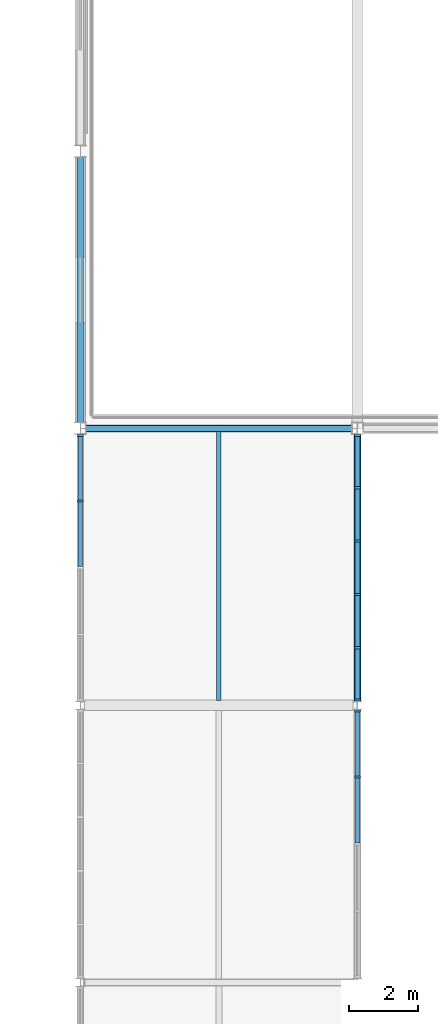
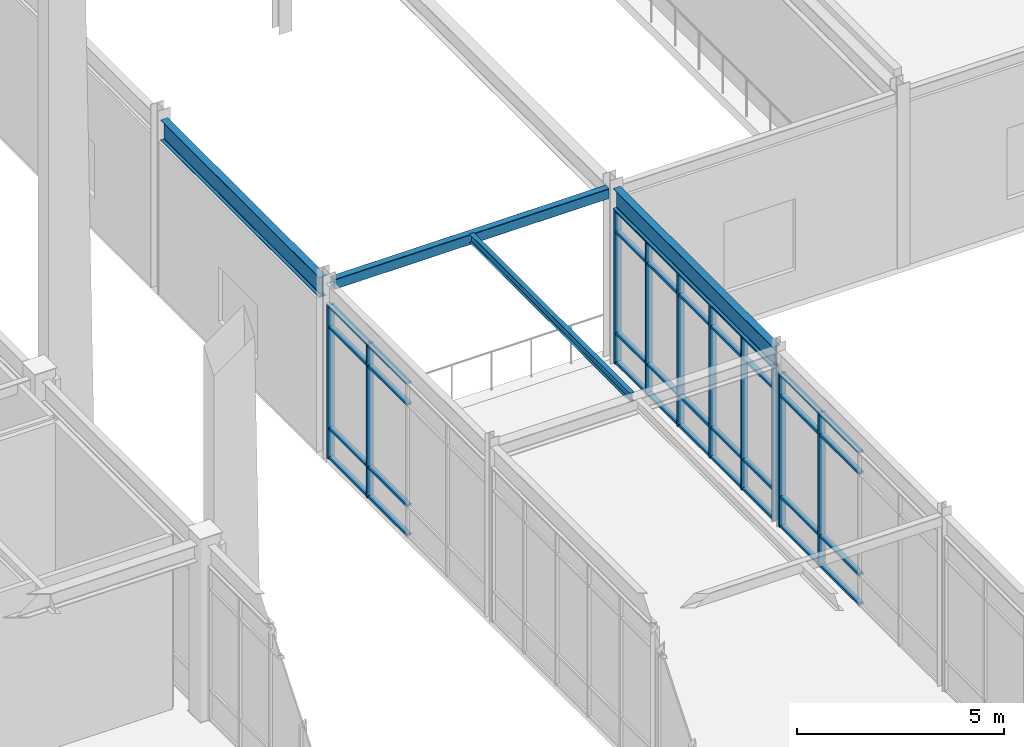
# One storey, part 44 of 184: 46 members, 4 beams, 3 elements without a shape of their own.
"""IFC4 building model written with IfcOpenShell, lengths in metres."""

from ifc_helpers import new_model, si_unit, direction, frame, origin, origin_2d, place, context, subcontext, project, spatial, rectangle, hollow_rectangle, i_section, extrude, material, material_profile, profile_set, type_object, element, aggregate, save


model = new_model("IFC4")

# Units and contexts
model_context = context("Model", 3, precision=1e-05, world=origin(), true_north=direction((0.0, 1.0)))
body_context = subcontext(model_context, "Body", "Model", "MODEL_VIEW")
ifc_project = project(units=[si_unit("LENGTHUNIT", "METRE"), si_unit("AREAUNIT", "SQUARE_METRE"), si_unit("VOLUMEUNIT", "CUBIC_METRE"), si_unit("PLANEANGLEUNIT", "RADIAN"), si_unit("MASSUNIT", "GRAM", prefix="KILO")], contexts=[model_context])

# Site, building, storey
site_placement = place(None, origin())
site = spatial("IfcSite", under=ifc_project, at=site_placement, CompositionType="ELEMENT")
building_placement = place(site_placement, origin())
building = spatial("IfcBuilding", under=site, at=building_placement, Name="Zhaolan Boulevard Law Courts", CompositionType="ELEMENT")
storey_placement = place(building_placement, frame((0.0, 0.0, 5.39990234375)))
storey = spatial("IfcBuildingStorey", under=building, at=storey_placement, Name="L01", CompositionType="ELEMENT", Elevation=5.39990234375)

# Curtain wall, members
ifc_material_1 = material(Name="Thermally broken aluminium and low-E glazing", Category="aluminium")
curtain_wall_type_1 = type_object("IfcCurtainWallType", Name="CURTAIN WALL M21", PredefinedType="USERDEFINED", material=ifc_material_1)
curtain_wall_1_placement = place(storey_placement, origin())
curtain_wall_1 = element("IfcCurtainWall", 1, at=curtain_wall_1_placement, inside=storey, type_object=curtain_wall_type_1, Name="Curtain Wall CW-L01-069", ObjectType="CURTAIN WALL", PredefinedType="USERDEFINED")
ifc_material_2 = material(Name="Fluorocarbon-coated aluminium 6063-T6", Category="aluminium")
ifc_material_profile_1 = material_profile(ifc_material_2, rectangle(XDim=0.179931640625, YDim=0.06494140625, at=origin_2d()), Name="AL65x180")
ifc_profile_set_1 = profile_set([ifc_material_profile_1], Name="Fluorocarbon-coated aluminium 6063-T6")
member_type_1 = type_object("IfcMemberType", Name="CWMULLION 65X180", PredefinedType="MULLION", material=ifc_profile_set_1)
member_1_placement = place(storey_placement, frame((52.0, 61.79052734375, 0.0), z_axis=(0.0, 0.0, 1.0), x_axis=(1.0, 0.0, 0.0)))
member_1 = element("IfcMember", 2, at=member_1_placement, type_object=member_type_1, Name="CW-L01-069 mullion 1", PredefinedType="MULLION", context=body_context, shape_type="SweptSolid", body=[
    extrude(rectangle(XDim=0.179931640625, YDim=0.06494140625, at=origin_2d()), origin(), (0.0, 0.0, 1.0), 4.533203125),
])
member_2_placement = place(storey_placement, frame((52.0, 59.89892578125, 0.0), z_axis=(0.0, 0.0, 1.0), x_axis=(1.0, 0.0, 0.0)))
member_2 = element("IfcMember", 3, at=member_2_placement, type_object=member_type_1, Name="CW-L01-069 mullion 2", PredefinedType="MULLION", context=body_context, shape_type="SweptSolid", body=[
    extrude(rectangle(XDim=0.179931640625, YDim=0.06494140625, at=origin_2d()), origin(), (0.0, 0.0, 1.0), 4.533203125),
])

ifc_material_3 = material(Name="Thermally broken aluminium and low-E glazing", Category="aluminium")
curtain_wall_type_2 = type_object("IfcCurtainWallType", Name="CURTAIN WALL M24", PredefinedType="USERDEFINED", material=ifc_material_3)
curtain_wall_2_placement = place(storey_placement, origin())
curtain_wall_2 = element("IfcCurtainWall", 4, at=curtain_wall_2_placement, inside=storey, type_object=curtain_wall_type_2, Name="Curtain Wall CW-L01-072", ObjectType="CURTAIN WALL", PredefinedType="USERDEFINED")
member_3_placement = place(storey_placement, frame((60.0, 51.9365234375, 0.0), z_axis=(0.0, 0.0, 1.0), x_axis=(-1.0, 0.0, 0.0)))
member_3 = element("IfcMember", 5, at=member_3_placement, type_object=member_type_1, Name="CW-L01-072 mullion 4", PredefinedType="MULLION", context=body_context, shape_type="SweptSolid", body=[
    extrude(rectangle(XDim=0.179931640625, YDim=0.06494140625, at=origin_2d()), origin(), (0.0, 0.0, 1.0), 4.533203125),
])
member_4_placement = place(storey_placement, frame((60.0, 53.840576171875, 0.0), z_axis=(0.0, 0.0, 1.0), x_axis=(-1.0, 0.0, 0.0)))
member_4 = element("IfcMember", 6, at=member_4_placement, type_object=member_type_1, Name="CW-L01-072 mullion 5", PredefinedType="MULLION", context=body_context, shape_type="SweptSolid", body=[
    extrude(rectangle(XDim=0.179931640625, YDim=0.06494140625, at=origin_2d()), origin(), (0.0, 0.0, 1.0), 4.533203125),
])

ifc_material_4 = material(Name="Thermally broken aluminium and low-E glazing", Category="aluminium")
curtain_wall_type_3 = type_object("IfcCurtainWallType", Name="CURTAIN WALL M1", PredefinedType="USERDEFINED", material=ifc_material_4)
curtain_wall_3_placement = place(storey_placement, origin())
curtain_wall_3 = element("IfcCurtainWall", 7, at=curtain_wall_3_placement, inside=storey, type_object=curtain_wall_type_3, Name="Curtain Wall CW-L01-073", ObjectType="CURTAIN WALL", PredefinedType="USERDEFINED")
member_5_placement = place(storey_placement, frame((60.0, 54.159423828125, 0.0), z_axis=(0.0, 0.0, 1.0), x_axis=(-1.0, 0.0, 0.0)))
member_5 = element("IfcMember", 8, at=member_5_placement, type_object=member_type_1, Name="CW-L01-073 mullion 1", PredefinedType="MULLION", context=body_context, shape_type="SweptSolid", body=[
    extrude(rectangle(XDim=0.179931640625, YDim=0.06494140625, at=origin_2d()), origin(), (0.0, 0.0, 1.0), 4.533203125),
])
member_6_placement = place(storey_placement, frame((60.0, 55.666259765625, 0.0), z_axis=(0.0, 0.0, 1.0), x_axis=(-1.0, 0.0, 0.0)))
member_6 = element("IfcMember", 9, at=member_6_placement, type_object=member_type_1, Name="CW-L01-073 mullion 2", PredefinedType="MULLION", context=body_context, shape_type="SweptSolid", body=[
    extrude(rectangle(XDim=0.179931640625, YDim=0.06494140625, at=origin_2d()), origin(), (0.0, 0.0, 1.0), 4.533203125),
])
member_7_placement = place(storey_placement, frame((60.0, 57.205322265625, 0.0), z_axis=(0.0, 0.0, 1.0), x_axis=(-1.0, 0.0, 0.0)))
member_7 = element("IfcMember", 10, at=member_7_placement, type_object=member_type_1, Name="CW-L01-073 mullion 3", PredefinedType="MULLION", context=body_context, shape_type="SweptSolid", body=[
    extrude(rectangle(XDim=0.179931640625, YDim=0.06494140625, at=origin_2d()), origin(), (0.0, 0.0, 1.0), 4.533203125),
])
member_8_placement = place(storey_placement, frame((60.0, 58.74462890625, 0.0), z_axis=(0.0, 0.0, 1.0), x_axis=(-1.0, 0.0, 0.0)))
member_8 = element("IfcMember", 11, at=member_8_placement, type_object=member_type_1, Name="CW-L01-073 mullion 4", PredefinedType="MULLION", context=body_context, shape_type="SweptSolid", body=[
    extrude(rectangle(XDim=0.179931640625, YDim=0.06494140625, at=origin_2d()), origin(), (0.0, 0.0, 1.0), 4.533203125),
])
member_9_placement = place(storey_placement, frame((60.0, 60.28369140625, 0.0), z_axis=(0.0, 0.0, 1.0), x_axis=(-1.0, 0.0, 0.0)))
member_9 = element("IfcMember", 12, at=member_9_placement, type_object=member_type_1, Name="CW-L01-073 mullion 5", PredefinedType="MULLION", context=body_context, shape_type="SweptSolid", body=[
    extrude(rectangle(XDim=0.179931640625, YDim=0.06494140625, at=origin_2d()), origin(), (0.0, 0.0, 1.0), 4.533203125),
])
member_10_placement = place(storey_placement, frame((60.0, 61.79052734375, 0.0), z_axis=(0.0, 0.0, 1.0), x_axis=(-1.0, 0.0, 0.0)))
member_10 = element("IfcMember", 13, at=member_10_placement, type_object=member_type_1, Name="CW-L01-073 mullion 6", PredefinedType="MULLION", context=body_context, shape_type="SweptSolid", body=[
    extrude(rectangle(XDim=0.179931640625, YDim=0.06494140625, at=origin_2d()), origin(), (0.0, 0.0, 1.0), 4.533203125),
])

# Member
ifc_material_5 = material(Name="Fluorocarbon-coated aluminium 6063-T6", Category="aluminium")
ifc_material_profile_2 = material_profile(ifc_material_5, rectangle(XDim=0.139892578125, YDim=0.06494140625, at=origin_2d()), Name="AL65x140")
ifc_profile_set_2 = profile_set([ifc_material_profile_2], Name="Fluorocarbon-coated aluminium 6063-T6")
member_type_2 = type_object("IfcMemberType", Name="CWTRANSOM 65X140", PredefinedType="USERDEFINED", material=ifc_profile_set_2)
member_11_placement = place(storey_placement, frame((52.0, 61.758056640625, 0.03271484375), z_axis=(0.0, -1.0, 0.0), x_axis=(1.0, 0.0, 0.0)))
member_11 = element("IfcMember", 14, at=member_11_placement, type_object=member_type_2, Name="CW-L01-069 transom 1.1", ObjectType="TRANSOM", PredefinedType="USERDEFINED", context=body_context, shape_type="SweptSolid", body=[
    extrude(rectangle(XDim=0.139892578125, YDim=0.06494140625, at=origin_2d()), origin(), (0.0, 0.0, 1.0), 1.82666015625),
])

member_12_placement = place(storey_placement, frame((52.0, 61.758056640625, 0.900146484375), z_axis=(0.0, -1.0, 0.0), x_axis=(1.0, 0.0, 0.0)))
member_12 = element("IfcMember", 15, at=member_12_placement, type_object=member_type_2, Name="CW-L01-069 transom 1.2", ObjectType="TRANSOM", PredefinedType="USERDEFINED", context=body_context, shape_type="SweptSolid", body=[
    extrude(rectangle(XDim=0.139892578125, YDim=0.06494140625, at=origin_2d()), origin(), (0.0, 0.0, 1.0), 1.82666015625),
])

member_13_placement = place(storey_placement, frame((52.0, 61.758056640625, 3.883056640625), z_axis=(0.0, -1.0, 0.0), x_axis=(1.0, 0.0, 0.0)))
member_13 = element("IfcMember", 16, at=member_13_placement, type_object=member_type_2, Name="CW-L01-069 transom 1.3", ObjectType="TRANSOM", PredefinedType="USERDEFINED", context=body_context, shape_type="SweptSolid", body=[
    extrude(rectangle(XDim=0.139892578125, YDim=0.06494140625, at=origin_2d()), origin(), (0.0, 0.0, 1.0), 1.82666015625),
])

member_14_placement = place(storey_placement, frame((52.0, 61.758056640625, 4.50048828125), z_axis=(0.0, -1.0, 0.0), x_axis=(1.0, 0.0, 0.0)))
member_14 = element("IfcMember", 17, at=member_14_placement, type_object=member_type_2, Name="CW-L01-069 transom 1.4", ObjectType="TRANSOM", PredefinedType="USERDEFINED", context=body_context, shape_type="SweptSolid", body=[
    extrude(rectangle(XDim=0.139892578125, YDim=0.06494140625, at=origin_2d()), origin(), (0.0, 0.0, 1.0), 1.82666015625),
])

member_15_placement = place(storey_placement, frame((52.0, 59.866455078125, 0.03271484375), z_axis=(0.0, -1.0, 0.0), x_axis=(1.0, 0.0, 0.0)))
member_15 = element("IfcMember", 18, at=member_15_placement, type_object=member_type_2, Name="CW-L01-069 transom 2.1", ObjectType="TRANSOM", PredefinedType="USERDEFINED", context=body_context, shape_type="SweptSolid", body=[
    extrude(rectangle(XDim=0.139892578125, YDim=0.06494140625, at=origin_2d()), origin(), (0.0, 0.0, 1.0), 1.85888671875),
])

member_16_placement = place(storey_placement, frame((52.0, 59.866455078125, 0.900146484375), z_axis=(0.0, -1.0, 0.0), x_axis=(1.0, 0.0, 0.0)))
member_16 = element("IfcMember", 19, at=member_16_placement, type_object=member_type_2, Name="CW-L01-069 transom 2.2", ObjectType="TRANSOM", PredefinedType="USERDEFINED", context=body_context, shape_type="SweptSolid", body=[
    extrude(rectangle(XDim=0.139892578125, YDim=0.06494140625, at=origin_2d()), origin(), (0.0, 0.0, 1.0), 1.85888671875),
])

member_17_placement = place(storey_placement, frame((52.0, 59.866455078125, 3.883056640625), z_axis=(0.0, -1.0, 0.0), x_axis=(1.0, 0.0, 0.0)))
member_17 = element("IfcMember", 20, at=member_17_placement, type_object=member_type_2, Name="CW-L01-069 transom 2.3", ObjectType="TRANSOM", PredefinedType="USERDEFINED", context=body_context, shape_type="SweptSolid", body=[
    extrude(rectangle(XDim=0.139892578125, YDim=0.06494140625, at=origin_2d()), origin(), (0.0, 0.0, 1.0), 1.85888671875),
])

member_18_placement = place(storey_placement, frame((52.0, 59.866455078125, 4.50048828125), z_axis=(0.0, -1.0, 0.0), x_axis=(1.0, 0.0, 0.0)))
member_18 = element("IfcMember", 21, at=member_18_placement, type_object=member_type_2, Name="CW-L01-069 transom 2.4", ObjectType="TRANSOM", PredefinedType="USERDEFINED", context=body_context, shape_type="SweptSolid", body=[
    extrude(rectangle(XDim=0.139892578125, YDim=0.06494140625, at=origin_2d()), origin(), (0.0, 0.0, 1.0), 1.85888671875),
])

aggregate(curtain_wall_1, [member_1, member_2, member_11, member_12, member_13, member_14, member_15, member_16, member_17, member_18])

member_19_placement = place(storey_placement, frame((60.0, 50.032470703125, 0.03271484375), z_axis=(0.0, 1.0, 0.0), x_axis=(-1.0, 0.0, 0.0)))
member_19 = element("IfcMember", 22, at=member_19_placement, type_object=member_type_2, Name="CW-L01-072 transom 3.1", ObjectType="TRANSOM", PredefinedType="USERDEFINED", context=body_context, shape_type="SweptSolid", body=[
    extrude(rectangle(XDim=0.139892578125, YDim=0.06494140625, at=origin_2d()), origin(), (0.0, 0.0, 1.0), 1.87158203125),
])

member_20_placement = place(storey_placement, frame((60.0, 50.032470703125, 0.900146484375), z_axis=(0.0, 1.0, 0.0), x_axis=(-1.0, 0.0, 0.0)))
member_20 = element("IfcMember", 23, at=member_20_placement, type_object=member_type_2, Name="CW-L01-072 transom 3.2", ObjectType="TRANSOM", PredefinedType="USERDEFINED", context=body_context, shape_type="SweptSolid", body=[
    extrude(rectangle(XDim=0.139892578125, YDim=0.06494140625, at=origin_2d()), origin(), (0.0, 0.0, 1.0), 1.87158203125),
])

member_21_placement = place(storey_placement, frame((60.0, 50.032470703125, 3.883056640625), z_axis=(0.0, 1.0, 0.0), x_axis=(-1.0, 0.0, 0.0)))
member_21 = element("IfcMember", 24, at=member_21_placement, type_object=member_type_2, Name="CW-L01-072 transom 3.3", ObjectType="TRANSOM", PredefinedType="USERDEFINED", context=body_context, shape_type="SweptSolid", body=[
    extrude(rectangle(XDim=0.139892578125, YDim=0.06494140625, at=origin_2d()), origin(), (0.0, 0.0, 1.0), 1.87158203125),
])

member_22_placement = place(storey_placement, frame((60.0, 50.032470703125, 4.50048828125), z_axis=(0.0, 1.0, 0.0), x_axis=(-1.0, 0.0, 0.0)))
member_22 = element("IfcMember", 25, at=member_22_placement, type_object=member_type_2, Name="CW-L01-072 transom 3.4", ObjectType="TRANSOM", PredefinedType="USERDEFINED", context=body_context, shape_type="SweptSolid", body=[
    extrude(rectangle(XDim=0.139892578125, YDim=0.06494140625, at=origin_2d()), origin(), (0.0, 0.0, 1.0), 1.87158203125),
])

member_23_placement = place(storey_placement, frame((60.0, 51.968994140625, 0.03271484375), z_axis=(0.0, 1.0, 0.0), x_axis=(-1.0, 0.0, 0.0)))
member_23 = element("IfcMember", 26, at=member_23_placement, type_object=member_type_2, Name="CW-L01-072 transom 4.1", ObjectType="TRANSOM", PredefinedType="USERDEFINED", context=body_context, shape_type="SweptSolid", body=[
    extrude(rectangle(XDim=0.139892578125, YDim=0.06494140625, at=origin_2d()), origin(), (0.0, 0.0, 1.0), 1.839111328125),
])

member_24_placement = place(storey_placement, frame((60.0, 51.968994140625, 0.900146484375), z_axis=(0.0, 1.0, 0.0), x_axis=(-1.0, 0.0, 0.0)))
member_24 = element("IfcMember", 27, at=member_24_placement, type_object=member_type_2, Name="CW-L01-072 transom 4.2", ObjectType="TRANSOM", PredefinedType="USERDEFINED", context=body_context, shape_type="SweptSolid", body=[
    extrude(rectangle(XDim=0.139892578125, YDim=0.06494140625, at=origin_2d()), origin(), (0.0, 0.0, 1.0), 1.839111328125),
])

member_25_placement = place(storey_placement, frame((60.0, 51.968994140625, 3.883056640625), z_axis=(0.0, 1.0, 0.0), x_axis=(-1.0, 0.0, 0.0)))
member_25 = element("IfcMember", 28, at=member_25_placement, type_object=member_type_2, Name="CW-L01-072 transom 4.3", ObjectType="TRANSOM", PredefinedType="USERDEFINED", context=body_context, shape_type="SweptSolid", body=[
    extrude(rectangle(XDim=0.139892578125, YDim=0.06494140625, at=origin_2d()), origin(), (0.0, 0.0, 1.0), 1.839111328125),
])

member_26_placement = place(storey_placement, frame((60.0, 51.968994140625, 4.50048828125), z_axis=(0.0, 1.0, 0.0), x_axis=(-1.0, 0.0, 0.0)))
member_26 = element("IfcMember", 29, at=member_26_placement, type_object=member_type_2, Name="CW-L01-072 transom 4.4", ObjectType="TRANSOM", PredefinedType="USERDEFINED", context=body_context, shape_type="SweptSolid", body=[
    extrude(rectangle(XDim=0.139892578125, YDim=0.06494140625, at=origin_2d()), origin(), (0.0, 0.0, 1.0), 1.839111328125),
])

aggregate(curtain_wall_2, [member_3, member_4, member_19, member_20, member_21, member_22, member_23, member_24, member_25, member_26])

member_27_placement = place(storey_placement, frame((60.0, 54.19189453125, 0.03271484375), z_axis=(0.0, 1.0, 0.0), x_axis=(-1.0, 0.0, 0.0)))
member_27 = element("IfcMember", 30, at=member_27_placement, type_object=member_type_2, Name="CW-L01-073 transom 1.1", ObjectType="TRANSOM", PredefinedType="USERDEFINED", context=body_context, shape_type="SweptSolid", body=[
    extrude(rectangle(XDim=0.139892578125, YDim=0.06494140625, at=origin_2d()), origin(), (0.0, 0.0, 1.0), 1.44189453125),
])

member_28_placement = place(storey_placement, frame((60.0, 54.19189453125, 0.900146484375), z_axis=(0.0, 1.0, 0.0), x_axis=(-1.0, 0.0, 0.0)))
member_28 = element("IfcMember", 31, at=member_28_placement, type_object=member_type_2, Name="CW-L01-073 transom 1.2", ObjectType="TRANSOM", PredefinedType="USERDEFINED", context=body_context, shape_type="SweptSolid", body=[
    extrude(rectangle(XDim=0.139892578125, YDim=0.06494140625, at=origin_2d()), origin(), (0.0, 0.0, 1.0), 1.44189453125),
])

member_29_placement = place(storey_placement, frame((60.0, 54.19189453125, 3.883056640625), z_axis=(0.0, 1.0, 0.0), x_axis=(-1.0, 0.0, 0.0)))
member_29 = element("IfcMember", 32, at=member_29_placement, type_object=member_type_2, Name="CW-L01-073 transom 1.3", ObjectType="TRANSOM", PredefinedType="USERDEFINED", context=body_context, shape_type="SweptSolid", body=[
    extrude(rectangle(XDim=0.139892578125, YDim=0.06494140625, at=origin_2d()), origin(), (0.0, 0.0, 1.0), 1.44189453125),
])

member_30_placement = place(storey_placement, frame((60.0, 54.19189453125, 4.50048828125), z_axis=(0.0, 1.0, 0.0), x_axis=(-1.0, 0.0, 0.0)))
member_30 = element("IfcMember", 33, at=member_30_placement, type_object=member_type_2, Name="CW-L01-073 transom 1.4", ObjectType="TRANSOM", PredefinedType="USERDEFINED", context=body_context, shape_type="SweptSolid", body=[
    extrude(rectangle(XDim=0.139892578125, YDim=0.06494140625, at=origin_2d()), origin(), (0.0, 0.0, 1.0), 1.44189453125),
])

member_31_placement = place(storey_placement, frame((60.0, 55.69873046875, 0.03271484375), z_axis=(0.0, 1.0, 0.0), x_axis=(-1.0, 0.0, 0.0)))
member_31 = element("IfcMember", 34, at=member_31_placement, type_object=member_type_2, Name="CW-L01-073 transom 2.1", ObjectType="TRANSOM", PredefinedType="USERDEFINED", context=body_context, shape_type="SweptSolid", body=[
    extrude(rectangle(XDim=0.139892578125, YDim=0.06494140625, at=origin_2d()), origin(), (0.0, 0.0, 1.0), 1.47412109375),
])

member_32_placement = place(storey_placement, frame((60.0, 55.69873046875, 0.900146484375), z_axis=(0.0, 1.0, 0.0), x_axis=(-1.0, 0.0, 0.0)))
member_32 = element("IfcMember", 35, at=member_32_placement, type_object=member_type_2, Name="CW-L01-073 transom 2.2", ObjectType="TRANSOM", PredefinedType="USERDEFINED", context=body_context, shape_type="SweptSolid", body=[
    extrude(rectangle(XDim=0.139892578125, YDim=0.06494140625, at=origin_2d()), origin(), (0.0, 0.0, 1.0), 1.47412109375),
])

member_33_placement = place(storey_placement, frame((60.0, 55.69873046875, 3.883056640625), z_axis=(0.0, 1.0, 0.0), x_axis=(-1.0, 0.0, 0.0)))
member_33 = element("IfcMember", 36, at=member_33_placement, type_object=member_type_2, Name="CW-L01-073 transom 2.3", ObjectType="TRANSOM", PredefinedType="USERDEFINED", context=body_context, shape_type="SweptSolid", body=[
    extrude(rectangle(XDim=0.139892578125, YDim=0.06494140625, at=origin_2d()), origin(), (0.0, 0.0, 1.0), 1.47412109375),
])

member_34_placement = place(storey_placement, frame((60.0, 55.69873046875, 4.50048828125), z_axis=(0.0, 1.0, 0.0), x_axis=(-1.0, 0.0, 0.0)))
member_34 = element("IfcMember", 37, at=member_34_placement, type_object=member_type_2, Name="CW-L01-073 transom 2.4", ObjectType="TRANSOM", PredefinedType="USERDEFINED", context=body_context, shape_type="SweptSolid", body=[
    extrude(rectangle(XDim=0.139892578125, YDim=0.06494140625, at=origin_2d()), origin(), (0.0, 0.0, 1.0), 1.47412109375),
])

member_35_placement = place(storey_placement, frame((60.0, 57.23779296875, 0.03271484375), z_axis=(0.0, 1.0, 0.0), x_axis=(-1.0, 0.0, 0.0)))
member_35 = element("IfcMember", 38, at=member_35_placement, type_object=member_type_2, Name="CW-L01-073 transom 3.1", ObjectType="TRANSOM", PredefinedType="USERDEFINED", context=body_context, shape_type="SweptSolid", body=[
    extrude(rectangle(XDim=0.139892578125, YDim=0.06494140625, at=origin_2d()), origin(), (0.0, 0.0, 1.0), 1.474365234375),
])

member_36_placement = place(storey_placement, frame((60.0, 57.23779296875, 0.900146484375), z_axis=(0.0, 1.0, 0.0), x_axis=(-1.0, 0.0, 0.0)))
member_36 = element("IfcMember", 39, at=member_36_placement, type_object=member_type_2, Name="CW-L01-073 transom 3.2", ObjectType="TRANSOM", PredefinedType="USERDEFINED", context=body_context, shape_type="SweptSolid", body=[
    extrude(rectangle(XDim=0.139892578125, YDim=0.06494140625, at=origin_2d()), origin(), (0.0, 0.0, 1.0), 1.474365234375),
])

member_37_placement = place(storey_placement, frame((60.0, 57.23779296875, 3.883056640625), z_axis=(0.0, 1.0, 0.0), x_axis=(-1.0, 0.0, 0.0)))
member_37 = element("IfcMember", 40, at=member_37_placement, type_object=member_type_2, Name="CW-L01-073 transom 3.3", ObjectType="TRANSOM", PredefinedType="USERDEFINED", context=body_context, shape_type="SweptSolid", body=[
    extrude(rectangle(XDim=0.139892578125, YDim=0.06494140625, at=origin_2d()), origin(), (0.0, 0.0, 1.0), 1.474365234375),
])

member_38_placement = place(storey_placement, frame((60.0, 57.23779296875, 4.50048828125), z_axis=(0.0, 1.0, 0.0), x_axis=(-1.0, 0.0, 0.0)))
member_38 = element("IfcMember", 41, at=member_38_placement, type_object=member_type_2, Name="CW-L01-073 transom 3.4", ObjectType="TRANSOM", PredefinedType="USERDEFINED", context=body_context, shape_type="SweptSolid", body=[
    extrude(rectangle(XDim=0.139892578125, YDim=0.06494140625, at=origin_2d()), origin(), (0.0, 0.0, 1.0), 1.474365234375),
])

member_39_placement = place(storey_placement, frame((60.0, 58.777099609375, 0.03271484375), z_axis=(0.0, 1.0, 0.0), x_axis=(-1.0, 0.0, 0.0)))
member_39 = element("IfcMember", 42, at=member_39_placement, type_object=member_type_2, Name="CW-L01-073 transom 4.1", ObjectType="TRANSOM", PredefinedType="USERDEFINED", context=body_context, shape_type="SweptSolid", body=[
    extrude(rectangle(XDim=0.139892578125, YDim=0.06494140625, at=origin_2d()), origin(), (0.0, 0.0, 1.0), 1.47412109375),
])

member_40_placement = place(storey_placement, frame((60.0, 58.777099609375, 0.900146484375), z_axis=(0.0, 1.0, 0.0), x_axis=(-1.0, 0.0, 0.0)))
member_40 = element("IfcMember", 43, at=member_40_placement, type_object=member_type_2, Name="CW-L01-073 transom 4.2", ObjectType="TRANSOM", PredefinedType="USERDEFINED", context=body_context, shape_type="SweptSolid", body=[
    extrude(rectangle(XDim=0.139892578125, YDim=0.06494140625, at=origin_2d()), origin(), (0.0, 0.0, 1.0), 1.47412109375),
])

member_41_placement = place(storey_placement, frame((60.0, 58.777099609375, 3.883056640625), z_axis=(0.0, 1.0, 0.0), x_axis=(-1.0, 0.0, 0.0)))
member_41 = element("IfcMember", 44, at=member_41_placement, type_object=member_type_2, Name="CW-L01-073 transom 4.3", ObjectType="TRANSOM", PredefinedType="USERDEFINED", context=body_context, shape_type="SweptSolid", body=[
    extrude(rectangle(XDim=0.139892578125, YDim=0.06494140625, at=origin_2d()), origin(), (0.0, 0.0, 1.0), 1.47412109375),
])

member_42_placement = place(storey_placement, frame((60.0, 58.777099609375, 4.50048828125), z_axis=(0.0, 1.0, 0.0), x_axis=(-1.0, 0.0, 0.0)))
member_42 = element("IfcMember", 45, at=member_42_placement, type_object=member_type_2, Name="CW-L01-073 transom 4.4", ObjectType="TRANSOM", PredefinedType="USERDEFINED", context=body_context, shape_type="SweptSolid", body=[
    extrude(rectangle(XDim=0.139892578125, YDim=0.06494140625, at=origin_2d()), origin(), (0.0, 0.0, 1.0), 1.47412109375),
])

member_43_placement = place(storey_placement, frame((60.0, 60.31640625, 0.03271484375), z_axis=(0.0, 1.0, 0.0), x_axis=(-1.0, 0.0, 0.0)))
member_43 = element("IfcMember", 46, at=member_43_placement, type_object=member_type_2, Name="CW-L01-073 transom 5.1", ObjectType="TRANSOM", PredefinedType="USERDEFINED", context=body_context, shape_type="SweptSolid", body=[
    extrude(rectangle(XDim=0.139892578125, YDim=0.06494140625, at=origin_2d()), origin(), (0.0, 0.0, 1.0), 1.441650390625),
])

member_44_placement = place(storey_placement, frame((60.0, 60.31640625, 0.900146484375), z_axis=(0.0, 1.0, 0.0), x_axis=(-1.0, 0.0, 0.0)))
member_44 = element("IfcMember", 47, at=member_44_placement, type_object=member_type_2, Name="CW-L01-073 transom 5.2", ObjectType="TRANSOM", PredefinedType="USERDEFINED", context=body_context, shape_type="SweptSolid", body=[
    extrude(rectangle(XDim=0.139892578125, YDim=0.06494140625, at=origin_2d()), origin(), (0.0, 0.0, 1.0), 1.441650390625),
])

member_45_placement = place(storey_placement, frame((60.0, 60.31640625, 3.883056640625), z_axis=(0.0, 1.0, 0.0), x_axis=(-1.0, 0.0, 0.0)))
member_45 = element("IfcMember", 48, at=member_45_placement, type_object=member_type_2, Name="CW-L01-073 transom 5.3", ObjectType="TRANSOM", PredefinedType="USERDEFINED", context=body_context, shape_type="SweptSolid", body=[
    extrude(rectangle(XDim=0.139892578125, YDim=0.06494140625, at=origin_2d()), origin(), (0.0, 0.0, 1.0), 1.441650390625),
])

member_46_placement = place(storey_placement, frame((60.0, 60.31640625, 4.50048828125), z_axis=(0.0, 1.0, 0.0), x_axis=(-1.0, 0.0, 0.0)))
member_46 = element("IfcMember", 49, at=member_46_placement, type_object=member_type_2, Name="CW-L01-073 transom 5.4", ObjectType="TRANSOM", PredefinedType="USERDEFINED", context=body_context, shape_type="SweptSolid", body=[
    extrude(rectangle(XDim=0.139892578125, YDim=0.06494140625, at=origin_2d()), origin(), (0.0, 0.0, 1.0), 1.441650390625),
])

aggregate(curtain_wall_3, [member_5, member_6, member_7, member_8, member_9, member_10, member_27, member_28, member_29, member_30, member_31, member_32, member_33, member_34, member_35, member_36, member_37, member_38, member_39, member_40, member_41, member_42, member_43, member_44, member_45, member_46])

# Beams
ifc_material_6 = material(Name="Structural steel Q355B", Category="steel")
ifc_material_profile_3 = material_profile(ifc_material_6, i_section(OverallWidth=0.199951171875, OverallDepth=0.60009765625, WebThickness=0.010986328125, FlangeThickness=0.01708984375, FilletRadius=0.02001953125, at=origin_2d()), Name="HN600x200")
ifc_profile_set_3 = profile_set([ifc_material_profile_3], Name="Structural steel Q355B")
beam_type_1 = type_object("IfcBeamType", Name="GIRDER HN600", PredefinedType="BEAM", material=ifc_profile_set_3)
beam_1_placement = place(storey_placement, frame((52.0, 62.1708984375, 4.818115234375), z_axis=(0.0, 1.0, 0.0), x_axis=(-1.0, 0.0, 0.0)))
element("IfcBeam", 50, at=beam_1_placement, inside=storey, type_object=beam_type_1, Name="Beam BY-L02-7-J-K", PredefinedType="BEAM", context=body_context, shape_type="SweptSolid", body=[
    extrude(i_section(OverallWidth=0.199951171875, OverallDepth=0.60009765625, WebThickness=0.010986328125, FlangeThickness=0.01708984375, FilletRadius=0.02001953125, at=origin_2d()), origin(), (0.0, 0.0, 1.0), 7.658203125),
])
beam_2_placement = place(storey_placement, frame((60.0, 54.12109375, 4.84814453125), z_axis=(0.0, 1.0, 0.0), x_axis=(-1.0, 0.0, 0.0)))
element("IfcBeam", 51, at=beam_2_placement, inside=storey, type_object=beam_type_1, Name="Beam BY-L02-8-H-J", PredefinedType="BEAM", context=body_context, shape_type="SweptSolid", body=[
    extrude(i_section(OverallWidth=0.199951171875, OverallDepth=0.60009765625, WebThickness=0.010986328125, FlangeThickness=0.01708984375, FilletRadius=0.02001953125, at=origin_2d()), origin(), (0.0, 0.0, 1.0), 7.7080078125),
])
ifc_material_7 = material(Name="Structural steel Q355B", Category="steel")
ifc_material_profile_4 = material_profile(ifc_material_7, i_section(OverallWidth=0.125, OverallDepth=0.25, WebThickness=0.006103515625, FlangeThickness=0.009033203125, FilletRadius=0.010009765625, at=origin_2d()), Name="HN250x125")
ifc_profile_set_4 = profile_set([ifc_material_profile_4], Name="Structural steel Q355B")
beam_type_2 = type_object("IfcBeamType", Name="JOIST HN250", PredefinedType="JOIST", material=ifc_profile_set_4)
beam_3_placement = place(storey_placement, frame((56.0, 54.14599609375, 5.023193359375), z_axis=(0.0, 1.0, 0.0), x_axis=(-1.0, 0.0, 0.0)))
element("IfcBeam", 52, at=beam_3_placement, inside=storey, type_object=beam_type_2, Name="Composite Joist J-L02-7H", PredefinedType="JOIST", context=body_context, shape_type="SweptSolid", body=[
    extrude(i_section(OverallWidth=0.125, OverallDepth=0.25, WebThickness=0.006103515625, FlangeThickness=0.009033203125, FilletRadius=0.010009765625, at=origin_2d()), origin(), (0.0, 0.0, 1.0), 7.758056640625),
])
ifc_material_8 = material(Name="Structural steel Q355B", Category="steel")
ifc_material_profile_5 = material_profile(ifc_material_8, hollow_rectangle(XDim=0.199951171875, YDim=0.300048828125, WallThickness=0.011962890625, InnerFilletRadius=0.011962890625, OuterFilletRadius=0.02392578125, at=origin_2d()), Name="HSS300x200x12")
ifc_profile_set_5 = profile_set([ifc_material_profile_5], Name="Structural steel Q355B")
beam_type_3 = type_object("IfcBeamType", Name="SPANDREL HSS300", PredefinedType="SPANDREL", material=ifc_profile_set_5)
beam_4_placement = place(storey_placement, frame((52.1708984375, 62.0, 4.968017578125), z_axis=(1.0, 0.0, 0.0), x_axis=(0.0, 1.0, 0.0)))
element("IfcBeam", 53, at=beam_4_placement, inside=storey, type_object=beam_type_3, Name="Beam BX-L02-7-8-J", PredefinedType="SPANDREL", context=body_context, shape_type="SweptSolid", body=[
    extrude(hollow_rectangle(XDim=0.199951171875, YDim=0.300048828125, WallThickness=0.011962890625, InnerFilletRadius=0.011962890625, OuterFilletRadius=0.02392578125, at=origin_2d()), origin(), (0.0, 0.0, 1.0), 7.658203125),
])

save(model, "model.ifc")
